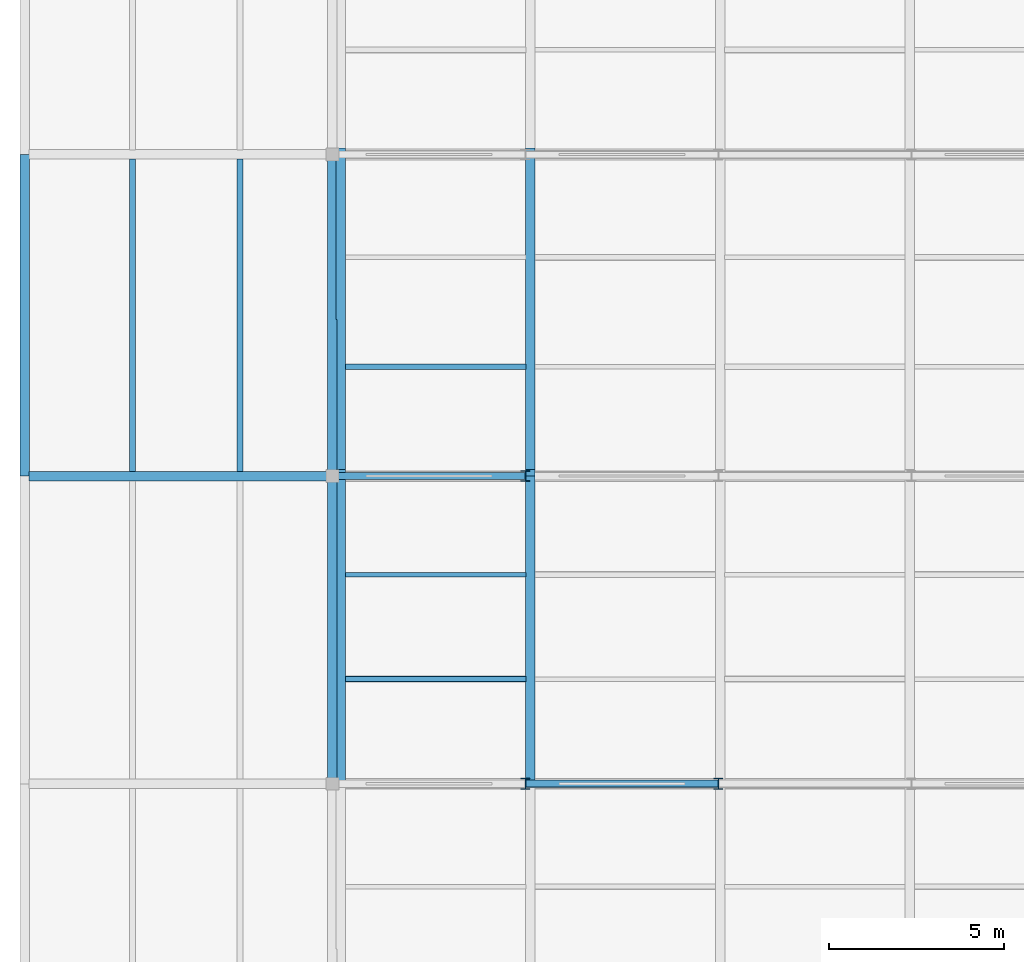
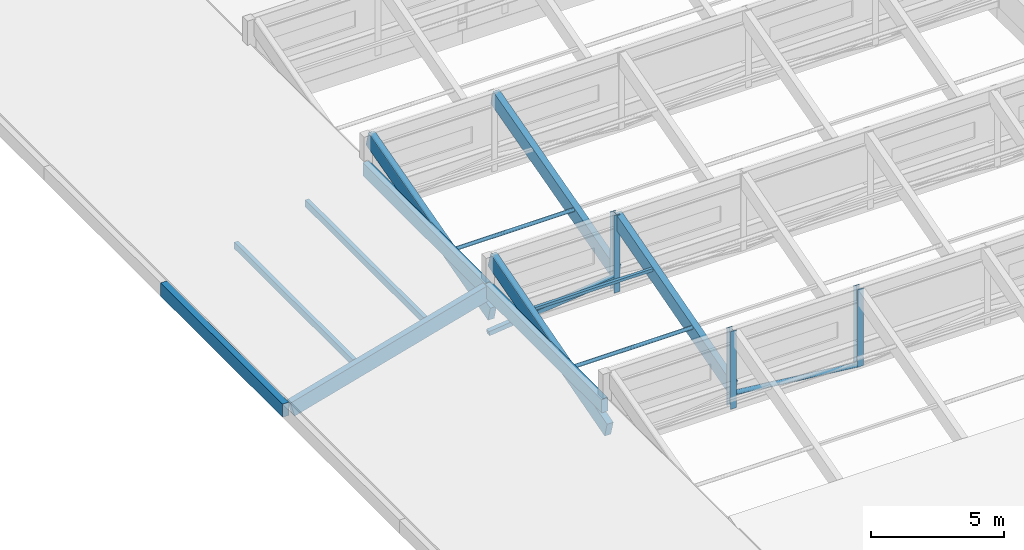
# One storey, part 10 of 77: 10 members, 8 beams.
"""IFC4 building model written with IfcOpenShell, lengths in metres."""

import ifcopenshell
import ifcopenshell.guid

model = None  # the IFC model being written
_history = None  # IfcOwnerHistory: only IFC2X3 demands one
_inside = {}  # id of a spatial element -> (the spatial element, [elements in it])
_under = {}  # id of a project, library or spatial element -> (it, [spatial elements below it])
_declared = {}  # id of a project -> (the project, [libraries it declares])
_typed = {}  # id of a type object -> (the type object, [elements of that type])
_made_of = {}  # id of a material, layer set ... -> (it, [elements and type objects made of it])


def new_model(schema):
    """Start an empty IFC model of exactly this schema.

    Asked for "IFC4X3", IfcOpenShell would pick the latest addendum, in which some entities
    have other attributes; the version numbers below select the first issue.
    IFC2X3 requires an IfcOwnerHistory on every rooted entity: one is made here for all.
    """
    global model, _history
    if schema == "IFC4X3":
        model = ifcopenshell.file(schema_version=(4, 3, 0, 0))
    else:
        model = ifcopenshell.file(schema=schema)
    _inside.clear()
    _under.clear()
    _declared.clear()
    _typed.clear()
    _made_of.clear()
    _history = None
    if model.schema == "IFC2X3":
        org = make("IfcOrganization", Name="unknown")
        user = make(
            "IfcPersonAndOrganization",
            ThePerson=make("IfcPerson", FamilyName="unknown"),
            TheOrganization=org,
        )
        app = make(
            "IfcApplication",
            ApplicationDeveloper=org,
            Version="unknown",
            ApplicationFullName="unknown",
            ApplicationIdentifier="unknown",
        )
        _history = make(
            "IfcOwnerHistory",
            OwningUser=user,
            OwningApplication=app,
            ChangeAction="ADDED",
            CreationDate=0,
        )
    return model


def make(cls, **values):
    """One entity of the class cls with the attributes given. An attribute that is None is left unset."""
    return model.create_entity(
        cls, **{name: value for name, value in values.items() if value is not None}
    )


def rooted(cls, **values):
    """An entity with a GlobalId (a new one), such as an element, a storey or a relation."""
    return make(cls, GlobalId=ifcopenshell.guid.new(), OwnerHistory=_history, **values)


def si_unit(unit_type, name, prefix=None):
    """IfcSIUnit, for example si_unit("LENGTHUNIT", "METRE", prefix="MILLI")."""
    return make("IfcSIUnit", UnitType=unit_type, Prefix=prefix, Name=name)


def assignment(units):
    """IfcUnitAssignment: the units of a project."""
    return None if units is None else make("IfcUnitAssignment", Units=units)


def point(xyz):
    """IfcCartesianPoint."""
    return None if xyz is None else make("IfcCartesianPoint", Coordinates=xyz)


def direction(xyz):
    """IfcDirection."""
    return None if xyz is None else make("IfcDirection", DirectionRatios=xyz)


def frame(location, z_axis=None, x_axis=None):
    """IfcAxis2Placement3D, a coordinate frame: its origin and axes. An axis left out is left unset."""
    return make(
        "IfcAxis2Placement3D",
        Location=point(location),
        Axis=direction(z_axis),
        RefDirection=direction(x_axis),
    )


def frame_2d(location, x_axis=None):
    """IfcAxis2Placement2D, a coordinate frame in the plane: its origin and x axis."""
    return make(
        "IfcAxis2Placement2D", Location=point(location), RefDirection=direction(x_axis)
    )


def origin():
    """The frame at (0, 0, 0) with its axes left unset."""
    return frame((0.0, 0.0, 0.0))


def origin_2d():
    """The frame at (0, 0) in the plane with its x axis left unset."""
    return frame_2d((0.0, 0.0))


def place(relative_to, where):
    """IfcLocalPlacement: puts the frame where relative to a parent placement (None: the world)."""
    return make(
        "IfcLocalPlacement", PlacementRelTo=relative_to, RelativePlacement=where
    )


def context(
    kind, dimensions, precision=None, world=None, true_north=None, identifier=None
):
    """IfcGeometricRepresentationContext, for example the 3D "Model" context."""
    return make(
        "IfcGeometricRepresentationContext",
        ContextIdentifier=identifier,
        ContextType=kind,
        CoordinateSpaceDimension=dimensions,
        Precision=precision,
        WorldCoordinateSystem=world,
        TrueNorth=true_north,
    )


def subcontext(parent, identifier, kind, view, scale=None):
    """IfcGeometricRepresentationSubContext, for example "Body" below "Model"."""
    return make(
        "IfcGeometricRepresentationSubContext",
        ContextIdentifier=identifier,
        ContextType=kind,
        ParentContext=parent,
        TargetScale=scale,
        TargetView=view,
    )


def project(units=None, contexts=None):
    """IfcProject with its units and contexts."""
    return rooted(
        "IfcProject",
        Name="project",
        RepresentationContexts=contexts,
        UnitsInContext=assignment(units),
    )


def spatial(cls, under=None, at=None, **own):
    """A site, building, storey or space (cls), placed at a placement, below another one or the project."""
    s = rooted(cls, ObjectPlacement=at, **own)
    if under is not None:
        _under.setdefault(under.id(), (under, []))[1].append(s)
    return s


def profile(cls, at=None, kind="AREA", **sizes):
    """A parametric profile (cls). Its sizes go by their IFC names, for example OverallWidth=200.0."""
    return make(cls, ProfileType=kind, Position=at, **sizes)


def rectangle(**sizes):
    """IfcRectangleProfileDef."""
    return profile("IfcRectangleProfileDef", **sizes)


def hollow_rectangle(**sizes):
    """IfcRectangleHollowProfileDef."""
    return profile("IfcRectangleHollowProfileDef", **sizes)


def hollow_circle(**sizes):
    """IfcCircleHollowProfileDef."""
    return profile("IfcCircleHollowProfileDef", **sizes)


def i_section(**sizes):
    """IfcIShapeProfileDef."""
    return profile("IfcIShapeProfileDef", **sizes)


def extrude(swept, where, along, depth):
    """IfcExtrudedAreaSolid: the profile swept, set in the frame where, extruded along a direction by depth."""
    return make(
        "IfcExtrudedAreaSolid",
        SweptArea=swept,
        Position=where,
        ExtrudedDirection=direction(along),
        Depth=depth,
    )


def shape(context_of_items, identifier, shape_type, items):
    """IfcShapeRepresentation: the items that make up one representation, for example the "Body"."""
    return make(
        "IfcShapeRepresentation",
        ContextOfItems=context_of_items,
        RepresentationIdentifier=identifier,
        RepresentationType=shape_type,
        Items=items,
    )


def material(Name=None, Category=None):
    """IfcMaterial."""
    return make("IfcMaterial", Name=Name, Category=Category)


def material_profile(
    of_material, cross_section, Name=None, Category=None, Priority=None
):
    """IfcMaterialProfile: a cross section and its material."""
    return make(
        "IfcMaterialProfile",
        Name=Name,
        Material=of_material,
        Profile=cross_section,
        Priority=Priority,
        Category=Category,
    )


def profile_set(profiles, Name=None, composite=None):
    """IfcMaterialProfileSet."""
    return make(
        "IfcMaterialProfileSet",
        Name=Name,
        MaterialProfiles=profiles,
        CompositeProfile=composite,
    )


def made_of(thing, what):
    """Note that an element or type object is made of a material, layer set ...; save() writes the relation."""
    if what is not None:
        _made_of.setdefault(what.id(), (what, []))[1].append(thing)
    return thing


def type_object(cls, material=None, **own):
    """A type object (cls), such as IfcWallType, which elements share."""
    return made_of(rooted(cls, **own), material)


def element(
    cls,
    number,
    at=None,
    inside=None,
    cuts=None,
    type_object=None,
    material=None,
    context=None,
    identifier="Body",
    shape_type=None,
    held_by="IfcProductDefinitionShape",
    body=None,
    shapes=None,
    **own,
):
    """One element of the class cls, such as IfcWall. Its Tag is "e" and its number.

    at: its placement. inside: the storey or other place that contains it. cuts: it is an
    opening in that element (IfcRelVoidsElement). A single representation is given by context,
    identifier, shape_type and body (its items); several are given by shapes. held_by: the class
    of the entity that holds the representations. save() writes the other relations.
    """
    e = rooted(cls, Tag="e%d" % number, ObjectPlacement=at, **own)
    if body is not None:
        shapes = [shape(context, identifier, shape_type, body)]
    if shapes is not None:
        e.Representation = make(held_by, Representations=shapes)
    if inside is not None:
        _inside.setdefault(inside.id(), (inside, []))[1].append(e)
    if cuts is not None:
        rooted(
            "IfcRelVoidsElement", RelatingBuildingElement=cuts, RelatedOpeningElement=e
        )
    if type_object is not None:
        _typed.setdefault(type_object.id(), (type_object, []))[1].append(e)
    return made_of(e, material)


def aggregate(whole, parts):
    """IfcRelAggregates: a whole, such as a stair, and the parts it consists of."""
    return rooted("IfcRelAggregates", RelatingObject=whole, RelatedObjects=parts)


def save(model, path):
    """Write the relations noted so far, then the file.

    IfcRelAggregates (storeys below a building ...), IfcRelContainedInSpatialStructure (elements
    in a storey), IfcRelDefinesByType, IfcRelAssociatesMaterial and IfcRelDeclares: one each for
    every whole, place, type object, material and project.
    """
    for whole, parts in _under.values():
        aggregate(whole, parts)
    for where, things in _inside.values():
        rooted(
            "IfcRelContainedInSpatialStructure",
            RelatedElements=things,
            RelatingStructure=where,
        )
    for kind, things in _typed.values():
        rooted("IfcRelDefinesByType", RelatedObjects=things, RelatingType=kind)
    for what, things in _made_of.values():
        rooted("IfcRelAssociatesMaterial", RelatedObjects=things, RelatingMaterial=what)
    for by, libraries in _declared.values():
        rooted("IfcRelDeclares", RelatingContext=by, RelatedDefinitions=libraries)
    model.write(path)


model = new_model("IFC4")

# Units and contexts
model_context = context("Model", 3, precision=1e-05, world=origin(), true_north=direction((0.0, 1.0)))
body_context = subcontext(model_context, "Body", "Model", "MODEL_VIEW")
ifc_project = project(units=[si_unit("LENGTHUNIT", "METRE"), si_unit("AREAUNIT", "SQUARE_METRE"), si_unit("VOLUMEUNIT", "CUBIC_METRE"), si_unit("PLANEANGLEUNIT", "RADIAN"), si_unit("MASSUNIT", "GRAM", prefix="KILO")], contexts=[model_context])

# Site, building, storey
site_placement = place(None, origin())
site = spatial("IfcSite", under=ifc_project, at=site_placement, CompositionType="ELEMENT")
building_placement = place(site_placement, origin())
building = spatial("IfcBuilding", under=site, at=building_placement, Name="Meriwether Solvik Hall", CompositionType="ELEMENT")
storey_placement = place(building_placement, frame((0.0, 0.0, 9.89990234375)))
storey = spatial("IfcBuildingStorey", under=building, at=storey_placement, Name="L02", CompositionType="ELEMENT", Elevation=9.89990234375)

# Beams
ifc_material_1 = material(Name="Glulam Douglas-Fir 24F-V8 GL28h", Category="wood")
ifc_material_profile_1 = material_profile(ifc_material_1, rectangle(XDim=0.27294921875, YDim=0.610107421875, at=origin_2d()), Name="GLB-273X610")
ifc_profile_set_1 = profile_set([ifc_material_profile_1], Name="Glulam Douglas-Fir 24F-V8 GL28h")
beam_type_1 = type_object("IfcBeamType", Name="BM-GL-273X610", PredefinedType="SPANDREL", material=ifc_profile_set_1)
beam_1_placement = place(storey_placement, frame((5.199951171875, 32.0, -0.323974609375), z_axis=(0.0, 1.0, 0.0), x_axis=(-1.0, 0.0, 0.0)))
element("IfcBeam", 1, at=beam_1_placement, inside=storey, type_object=beam_type_1, Name="Roof Tie Beam 1:D-E (L02)", PredefinedType="SPANDREL", context=body_context, shape_type="SweptSolid", body=[
    extrude(rectangle(XDim=0.27294921875, YDim=0.610107421875, at=origin_2d()), origin(), (0.0, 0.0, 1.0), 9.199951171875),
])
beam_2_placement = place(storey_placement, frame((14.0, 23.199951171875, 2.135986328125), z_axis=(0.0, 1.0, 0.0), x_axis=(-1.0, 0.0, 0.0)))
element("IfcBeam", 2, at=beam_2_placement, inside=storey, type_object=beam_type_1, Name="Roof Tie Beam 2:C-D (L02)", PredefinedType="SPANDREL", context=body_context, shape_type="SweptSolid", body=[
    extrude(rectangle(XDim=0.27294921875, YDim=0.610107421875, at=origin_2d()), origin(), (0.0, 0.0, 1.0), 8.800048828125),
])
beam_3_placement = place(storey_placement, frame((14.0, 32.0, 2.135986328125), z_axis=(0.0, 1.0, 0.0), x_axis=(-1.0, 0.0, 0.0)))
element("IfcBeam", 3, at=beam_3_placement, inside=storey, type_object=beam_type_1, Name="Roof Tie Beam 2:D-E (L02)", PredefinedType="SPANDREL", context=body_context, shape_type="SweptSolid", body=[
    extrude(rectangle(XDim=0.27294921875, YDim=0.610107421875, at=origin_2d()), origin(), (0.0, 0.0, 1.0), 9.199951171875),
])
ifc_material_2 = material(Name="Glulam Douglas-Fir 24F-V8 GL28h", Category="wood")
ifc_material_profile_2 = material_profile(ifc_material_2, rectangle(XDim=0.27294921875, YDim=0.68505859375, at=origin_2d()), Name="GLB-273X685")
ifc_profile_set_2 = profile_set([ifc_material_profile_2], Name="Glulam Douglas-Fir 24F-V8 GL28h")
beam_type_2 = type_object("IfcBeamType", Name="BM-GL-273X685", PredefinedType="BEAM", material=ifc_profile_set_2)
beam_4_placement = place(storey_placement, frame((5.420166015625, 32.0, -0.31298828125), z_axis=(0.963077401933, 0.0, 0.269224660621), x_axis=(0.0, 1.0, 0.0)))
element("IfcBeam", 4, at=beam_4_placement, inside=storey, type_object=beam_type_2, Name="Raking Glulam Roof Rafter w1_west_aisle-D (L02)", PredefinedType="BEAM", context=body_context, shape_type="SweptSolid", body=[
    extrude(rectangle(XDim=0.27294921875, YDim=0.68505859375, at=origin_2d()), origin(), (0.0, 0.0, 1.0), 8.87158203125),
])
for number, where, z_axis, x_axis, name in (
    (5, (14.239990234375, 23.293701171875, 0.895751953125), (0.0, 0.961933763025, 0.273282702624), (-1.0, 0.0, 0.0), "Sanctuary Sawtooth Rafter 2.1"),
    (6, (19.6640625, 23.293701171875, 0.895751953125), (0.0, 0.961933763025, 0.273282702624), (-1.0, 0.0, 0.0), "Sanctuary Sawtooth Rafter 2.2"),
):
    element("IfcBeam", number, at=place(storey_placement, frame(where, z_axis=z_axis, x_axis=x_axis)), inside=storey, type_object=beam_type_2, Name=name, PredefinedType="BEAM", context=body_context, shape_type="SweptSolid", body=[
        extrude(rectangle(XDim=0.27294921875, YDim=0.68505859375, at=origin_2d()), origin(), (0.0, 0.0, 1.0), 9.14794921875),
    ])
for number, where, z_axis, x_axis, name in (
    (7, (14.239990234375, 32.08984375, 0.89453125), (0.0, 0.965005119019, 0.262231043674), (-1.0, 0.0, 0.0), "Sanctuary Sawtooth Rafter 3.1"),
    (8, (19.6640625, 32.08984375, 0.89453125), (0.0, 0.965005119019, 0.262231043674), (-1.0, 0.0, 0.0), "Sanctuary Sawtooth Rafter 3.2"),
):
    element("IfcBeam", number, at=place(storey_placement, frame(where, z_axis=z_axis, x_axis=x_axis)), inside=storey, type_object=beam_type_2, Name=name, PredefinedType="BEAM", context=body_context, shape_type="SweptSolid", body=[
        extrude(rectangle(XDim=0.27294921875, YDim=0.68505859375, at=origin_2d()), origin(), (0.0, 0.0, 1.0), 9.53369140625),
    ])

# Members
ifc_material_3 = material(Name="Steel A500 Grade C", Category="steel")
ifc_material_profile_3 = material_profile(ifc_material_3, hollow_circle(Radius=0.109619140625, WallThickness=0.009521484375, at=origin_2d()), Name="CHS219X9.5")
ifc_profile_set_3 = profile_set([ifc_material_profile_3], Name="Steel A500 Grade C")
member_type_1 = type_object("IfcMemberType", Name="MEM-BR-CHS219", PredefinedType="BRACE", material=ifc_profile_set_3)
member_1_placement = place(storey_placement, frame((19.52001953125, 23.199951171875, 0.765625), z_axis=(0.993841313907, 0.0, -0.110812647163), x_axis=(0.0, 1.0, 0.0)))
element("IfcMember", 9, at=member_1_placement, inside=storey, type_object=member_type_1, Name="Sanctuary Truss T2 Diagonal 2", PredefinedType="BRACE", context=body_context, shape_type="SweptSolid", body=[
    extrude(hollow_circle(Radius=0.109619140625, WallThickness=0.009521484375, at=origin_2d()), origin(), (0.0, 0.0, 1.0), 5.55419921875),
])
ifc_material_4 = material(Name="Steel A500 Grade C", Category="steel")
ifc_material_profile_4 = material_profile(ifc_material_4, hollow_rectangle(XDim=0.202880859375, YDim=0.202880859375, WallThickness=0.0126953125, at=origin_2d()), Name="HSS203X203X12.7")
ifc_profile_set_4 = profile_set([ifc_material_profile_4], Name="Steel A500 Grade C")
member_type_2 = type_object("IfcMemberType", Name="MEM-BR-HSS203", PredefinedType="BRACE", material=ifc_profile_set_4)
member_2_placement = place(storey_placement, frame((14.0, 32.0, 0.150146484375), z_axis=(0.993841313907, 0.0, 0.110812647163), x_axis=(0.0, 1.0, 0.0)))
element("IfcMember", 10, at=member_2_placement, inside=storey, type_object=member_type_2, Name="Sanctuary Truss T3 Diagonal 1", PredefinedType="BRACE", context=body_context, shape_type="SweptSolid", body=[
    extrude(hollow_rectangle(XDim=0.202880859375, YDim=0.202880859375, WallThickness=0.0126953125, at=origin_2d()), origin(), (0.0, 0.0, 1.0), 5.55419921875),
])
ifc_material_5 = material(Name="Steel A992 Grade 50", Category="steel")
ifc_material_profile_5 = material_profile(ifc_material_5, i_section(OverallWidth=0.25390625, OverallDepth=0.305908203125, WebThickness=0.0087890625, FlangeThickness=0.0146484375, at=origin_2d()), Name="W12X53")
ifc_profile_set_5 = profile_set([ifc_material_profile_5], Name="Steel A992 Grade 50")
member_type_3 = type_object("IfcMemberType", Name="MEM-CHORD-W12X53", PredefinedType="CHORD", material=ifc_profile_set_5)
for number, where, z_axis, x_axis, name in (
    (11, (19.52001953125, 23.199951171875, 0.150146484375), (0.0, 0.0, 1.0), (1.0, 0.0, 0.0), "Sanctuary Truss T2 Post 1"),
    (12, (25.0400390625, 23.199951171875, 0.150146484375), (0.0, 0.0, 1.0), (1.0, 0.0, 0.0), "Sanctuary Truss T2 Post 2"),
    (13, (19.52001953125, 32.0, 0.150146484375), (0.0, 0.0, 1.0), (1.0, 0.0, 0.0), "Sanctuary Truss T3 Post 1"),
):
    element("IfcMember", number, at=place(storey_placement, frame(where, z_axis=z_axis, x_axis=x_axis)), inside=storey, type_object=member_type_3, Name=name, PredefinedType="CHORD", context=body_context, shape_type="SweptSolid", body=[
        extrude(i_section(OverallWidth=0.25390625, OverallDepth=0.305908203125, WebThickness=0.0087890625, FlangeThickness=0.0146484375, at=origin_2d()), origin(), (0.0, 0.0, 1.0), 3.574951171875),
    ])
ifc_material_6 = material(Name="Steel A500 Grade C", Category="steel")
ifc_material_profile_6 = material_profile(ifc_material_6, hollow_circle(Radius=0.084228515625, WallThickness=0.0078125, at=origin_2d()), Name="CHS168X7.9")
ifc_profile_set_6 = profile_set([ifc_material_profile_6], Name="Steel A500 Grade C")
member_type_4 = type_object("IfcMemberType", Name="MEM-PRL-CHS168", PredefinedType="PURLIN", material=ifc_profile_set_6)
for number, where, z_axis, x_axis, name in (
    (14, (14.3720703125, 26.19189453125, 1.968994140625), (1.0, 0.0, 0.0), (0.0, 1.0, 0.0), "Sanctuary Sawtooth Purlin 2.1.1"),
    (15, (14.3720703125, 35.1279296875, 1.968994140625), (1.0, 0.0, 0.0), (0.0, 1.0, 0.0), "Sanctuary Sawtooth Purlin 3.1.1"),
):
    element("IfcMember", number, at=place(storey_placement, frame(where, z_axis=z_axis, x_axis=x_axis)), inside=storey, type_object=member_type_4, Name=name, PredefinedType="PURLIN", context=body_context, shape_type="SweptSolid", body=[
        extrude(hollow_circle(Radius=0.084228515625, WallThickness=0.0078125, at=origin_2d()), origin(), (0.0, 0.0, 1.0), 5.159912109375),
    ])
ifc_material_7 = material(Name="Glulam Douglas-Fir 24F-V8 GL28h", Category="wood")
ifc_material_profile_7 = material_profile(ifc_material_7, rectangle(XDim=0.175048828125, YDim=0.304931640625, at=origin_2d()), Name="GLM-175X305")
ifc_profile_set_7 = profile_set([ifc_material_profile_7], Name="Glulam Douglas-Fir 24F-V8 GL28h")
member_type_5 = type_object("IfcMemberType", Name="MEM-PRL-GL175", PredefinedType="PURLIN", material=ifc_profile_set_7)
for number, where, z_axis, x_axis, name in (
    (16, (8.280029296875, 32.132568359375, 0.689453125), (0.0, 1.0, 0.0), (-1.0, 0.0, 0.0), "Sloped Roof Glulam Purlin w1_west_aisle-4.1"),
    (17, (11.360107421875, 32.132568359375, 1.550537109375), (0.0, 1.0, 0.0), (-1.0, 0.0, 0.0), "Sloped Roof Glulam Purlin w1_west_aisle-4.2"),
):
    element("IfcMember", number, at=place(storey_placement, frame(where, z_axis=z_axis, x_axis=x_axis)), inside=storey, type_object=member_type_5, Name=name, PredefinedType="PURLIN", context=body_context, shape_type="SweptSolid", body=[
        extrude(rectangle(XDim=0.175048828125, YDim=0.304931640625, at=origin_2d()), origin(), (0.0, 0.0, 1.0), 8.934814453125),
    ])
ifc_material_8 = material(Name="Steel A500 Grade C", Category="steel")
ifc_material_profile_8 = material_profile(ifc_material_8, hollow_rectangle(XDim=0.126953125, YDim=0.126953125, WallThickness=0.0078125, at=origin_2d()), Name="HSS127X127X7.9")
ifc_profile_set_8 = profile_set([ifc_material_profile_8], Name="Steel A500 Grade C")
member_type_6 = type_object("IfcMemberType", Name="MEM-PRL-HSS127", PredefinedType="PURLIN", material=ifc_profile_set_8)
member_3_placement = place(storey_placement, frame((14.3720703125, 29.18408203125, 2.839599609375), z_axis=(1.0, 0.0, 0.0), x_axis=(0.0, 1.0, 0.0)))
element("IfcMember", 18, at=member_3_placement, inside=storey, type_object=member_type_6, Name="Sanctuary Sawtooth Purlin 2.1.2", PredefinedType="PURLIN", context=body_context, shape_type="SweptSolid", body=[
    extrude(hollow_rectangle(XDim=0.126953125, YDim=0.126953125, WallThickness=0.0078125, at=origin_2d()), origin(), (0.0, 0.0, 1.0), 5.159912109375),
])

save(model, "model.ifc")
